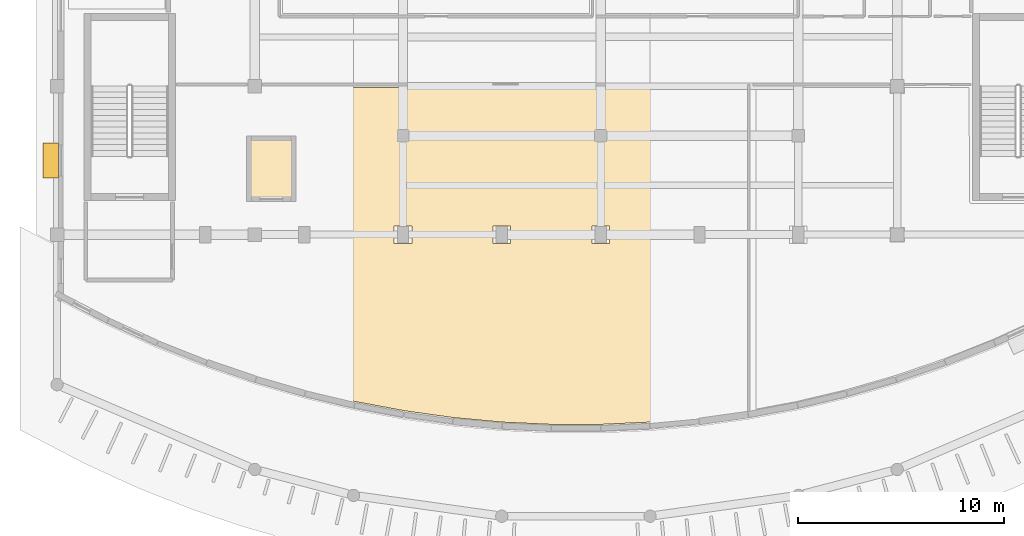
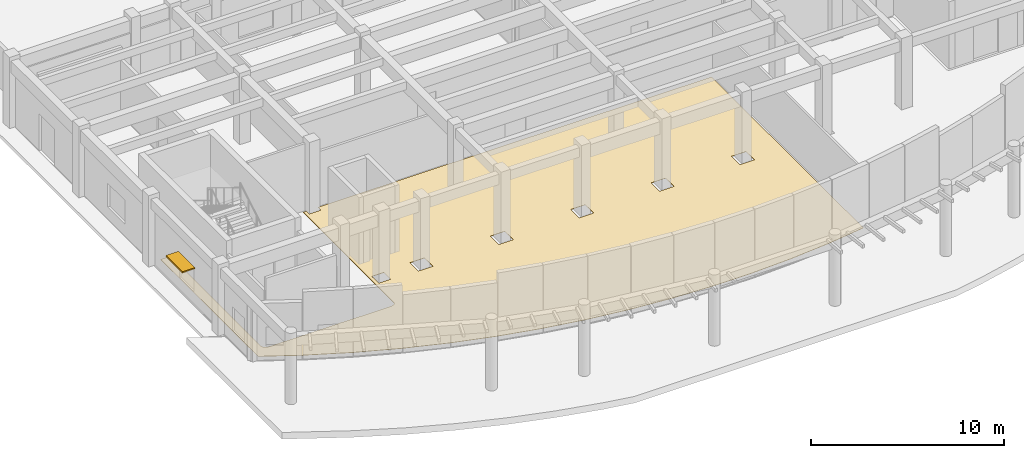
# One storey, part 45 of 58: 1 covering, 1 shading device.
"""IFC4 building model written with IfcOpenShell, lengths in metres."""

from ifc_helpers import new_model, si_unit, direction, frame, origin, origin_2d, place, context, subcontext, project, spatial, polyline, rectangle, outline, extrude, material, layer, layer_set, type_object, element, save


model = new_model("IFC4")

# Units and contexts
model_context = context("Model", 3, precision=1e-05, world=origin(), true_north=direction((0.0, 1.0)))
body_context = subcontext(model_context, "Body", "Model", "MODEL_VIEW")
ifc_project = project(units=[si_unit("LENGTHUNIT", "METRE"), si_unit("AREAUNIT", "SQUARE_METRE"), si_unit("VOLUMEUNIT", "CUBIC_METRE"), si_unit("PLANEANGLEUNIT", "RADIAN"), si_unit("MASSUNIT", "GRAM", prefix="KILO")], contexts=[model_context])

# Site, building, storey
site_placement = place(None, origin())
site = spatial("IfcSite", under=ifc_project, at=site_placement, CompositionType="ELEMENT")
building_placement = place(site_placement, origin())
building = spatial("IfcBuilding", under=site, at=building_placement, Name="Brisavento Harbour Community Centre", CompositionType="ELEMENT")
storey_placement = place(building_placement, origin())
storey = spatial("IfcBuildingStorey", under=building, at=storey_placement, Name="L00", CompositionType="ELEMENT", Elevation=0.0)

# Covering
ifc_material_1 = material(Name="Polished marine terrazzo tile", Category="other")
ifc_layer_1 = layer(ifc_material_1, 0.02001953125, Name="Polished marine terrazzo tile")
ifc_layer_set_1 = layer_set([ifc_layer_1], Name="Polished marine terrazzo tile")
covering_type = type_object("IfcCoveringType", Name="COV-FLR-TRZ", PredefinedType="FLOORING", material=ifc_layer_set_1)
covering_placement = place(storey_placement, origin())
element("IfcCovering", 1, at=covering_placement, inside=storey, type_object=covering_type, Name="L00 Harbour Exhibition Foyer terrazzo flooring", PredefinedType="FLOORING", context=body_context, shape_type="SweptSolid", body=[
    extrude(outline(polyline([(1.1298828125, 12.2001953125), (1.149658203125, 21.550048828125), (0.550048828125, 21.550048828125), (0.550048828125, 11.445068359375), (2.5625, 10.397705078125), (4.9453125, 9.30908203125), (7.328125, 8.362060546875), (9.711181640625, 7.548095703125), (12.093994140625, 6.861083984375), (14.476806640625, 6.2958984375), (16.85986328125, 5.84814453125), (19.24267578125, 5.514892578125), (21.62548828125, 5.2939453125), (24.008544921875, 5.183837890625), (26.391357421875, 5.183837890625), (28.7744140625, 5.2939453125), (31.1572265625, 5.514892578125), (33.449951171875, 5.837158203125), (33.449951171875, 21.550048828125), (9.955078125, 21.550048828125), (9.955078125, 21.2451171875), (9.2451171875, 21.2451171875), (9.2451171875, 21.550048828125), (9.069580078125, 21.550048828125), (9.042724609375, 12.12353515625), (9.005615234375, 12.025146484375), (8.800048828125, 11.929931640625), (5.800048828125, 11.929931640625), (5.699951171875, 11.96337890625), (5.60009765625, 11.929931640625), (1.39990234375, 11.929931640625), (1.1904296875, 12.03173828125), (1.1298828125, 12.2001953125)]), holes=[polyline([(9.955078125, 14.044921875), (9.2451171875, 14.044921875), (9.2451171875, 14.7548828125), (9.955078125, 14.7548828125), (9.955078125, 14.044921875)]), polyline([(11.570068359375, 14.830078125), (12.429931640625, 14.830078125), (12.429931640625, 13.969970703125), (11.570068359375, 13.969970703125), (11.570068359375, 14.830078125)]), polyline([(17.22998046875, 14.830078125), (17.22998046875, 13.969970703125), (16.3701171875, 13.969970703125), (16.3701171875, 14.830078125), (17.22998046875, 14.830078125)]), polyline([(22.030029296875, 13.969970703125), (21.169921875, 13.969970703125), (21.169921875, 14.830078125), (22.030029296875, 14.830078125), (22.030029296875, 13.969970703125)]), polyline([(25.969970703125, 13.969970703125), (25.969970703125, 14.830078125), (26.830078125, 14.830078125), (26.830078125, 13.969970703125), (25.969970703125, 13.969970703125)]), polyline([(30.77001953125, 14.830078125), (31.6298828125, 14.830078125), (31.6298828125, 13.969970703125), (30.77001953125, 13.969970703125), (30.77001953125, 14.830078125)])]), origin(), (0.0, 0.0, 1.0), 0.02001953125),
])

# Shading device
ifc_material_2 = material(Name="Off-white precast concrete C40/50", Category="concrete")
ifc_layer_2 = layer(ifc_material_2, 0.080078125, Name="Off-white precast concrete C40/50")
ifc_layer_set_2 = layer_set([ifc_layer_2], Name="Off-white precast concrete C40/50")
shading_device_type = type_object("IfcShadingDeviceType", Name="SHD-BLADE", PredefinedType="USERDEFINED", material=ifc_layer_set_2)
shading_device_placement = place(storey_placement, frame((-0.31005859375, 18.0, 2.260009765625), z_axis=(0.0, 0.0, 1.0), x_axis=(0.0, 1.0, 0.0)))
element("IfcShadingDevice", 2, at=shading_device_placement, inside=storey, type_object=shading_device_type, Name="L00 precast storm sunshade blade 03", ObjectType="SUNSHADE BLADE", PredefinedType="USERDEFINED", context=body_context, shape_type="SweptSolid", body=[
    extrude(rectangle(XDim=1.699951171875, YDim=0.75, at=origin_2d()), origin(), (0.0, 0.0, 1.0), 0.080078125),
])

save(model, "model.ifc")
